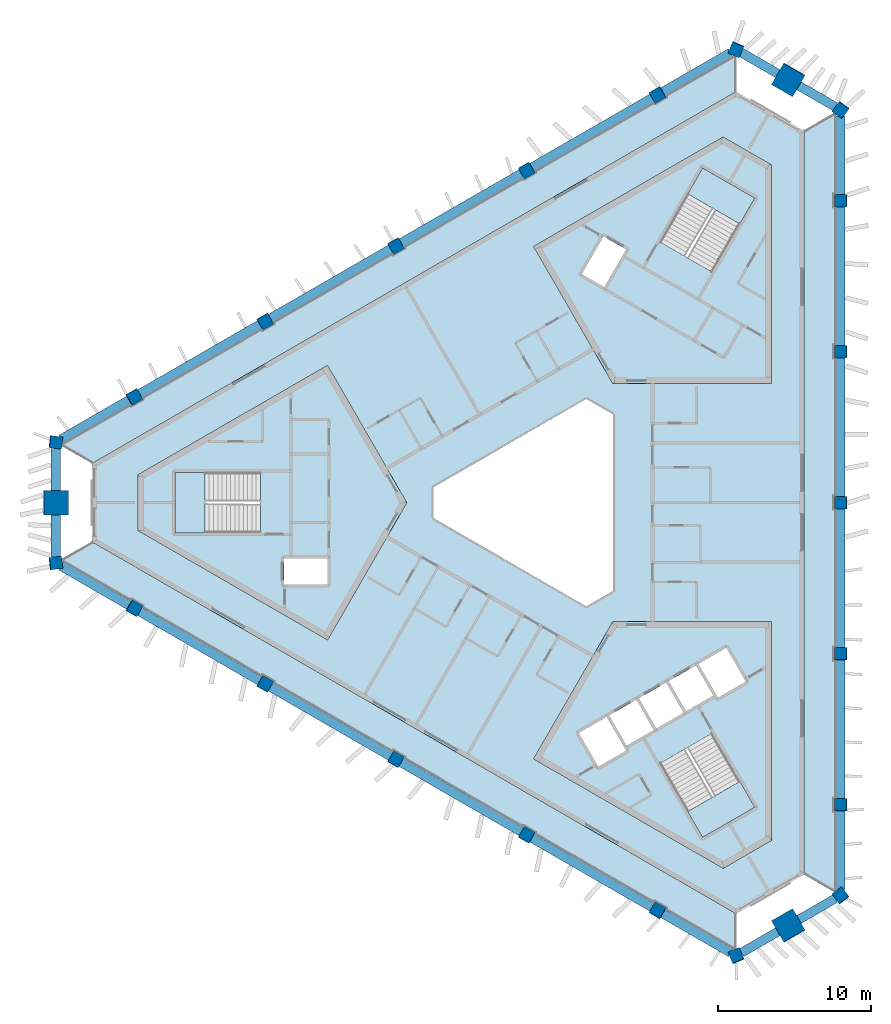
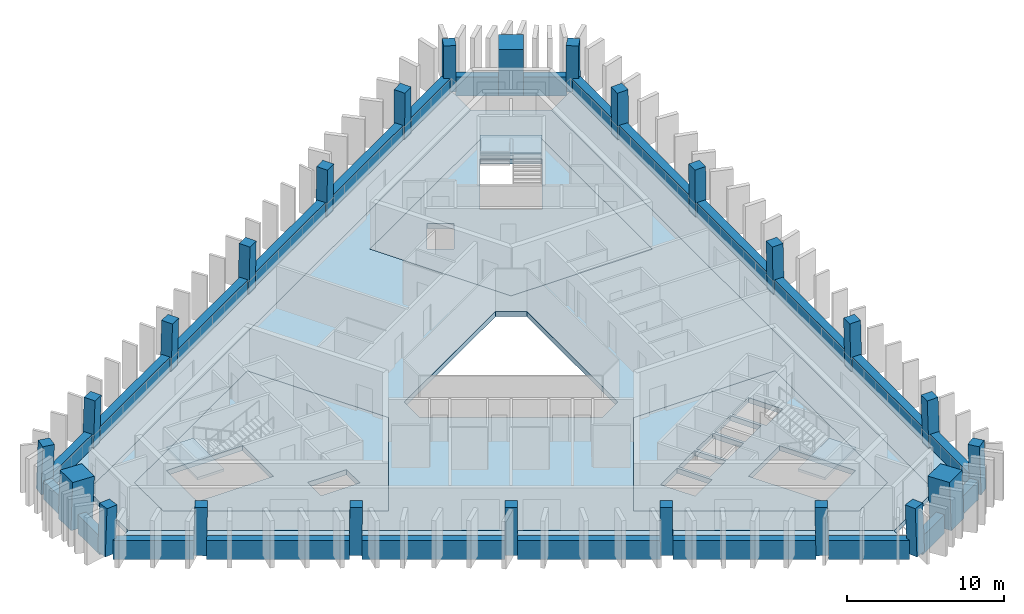
# One storey, part 1 of 9: 24 beams, 24 columns, 10 slabs, 3 elements without a shape of their own.
"""IFC4 building model written with IfcOpenShell, lengths in metres."""

from ifc_helpers import new_model, si_unit, direction, frame, origin, origin_2d, place, context, subcontext, project, spatial, polyline, rectangle, outline, extrude, material, layer, layer_set, material_profile, profile_set, type_object, element, aggregate, save


model = new_model("IFC4")

# Units and contexts
model_context = context("Model", 3, precision=1e-05, world=origin(), true_north=direction((0.0, 1.0)))
body_context = subcontext(model_context, "Body", "Model", "MODEL_VIEW")
ifc_project = project(units=[si_unit("LENGTHUNIT", "METRE"), si_unit("AREAUNIT", "SQUARE_METRE"), si_unit("VOLUMEUNIT", "CUBIC_METRE"), si_unit("PLANEANGLEUNIT", "RADIAN"), si_unit("MASSUNIT", "GRAM", prefix="KILO")], contexts=[model_context])

# Site, building, storey
site_placement = place(None, origin())
site = spatial("IfcSite", under=ifc_project, at=site_placement, CompositionType="ELEMENT")
building_placement = place(site_placement, origin())
building = spatial("IfcBuilding", under=site, at=building_placement, Name="Jabali Bay Hotel Tower and Convention Centre", CompositionType="ELEMENT")
storey_placement = place(building_placement, frame((0.0, 0.0, 259.0)))
storey = spatial("IfcBuildingStorey", under=building, at=storey_placement, Name="L63", CompositionType="ELEMENT", Elevation=259.0)

# Columns
ifc_material_1 = material(Name="Concrete C60", Category="concrete")
ifc_material_profile_1 = material_profile(ifc_material_1, rectangle(XDim=0.800048828125, YDim=0.800048828125, at=origin_2d()), Name="Frame column 800")
ifc_profile_set_1 = profile_set([ifc_material_profile_1], Name="Concrete C60")
column_type_1 = type_object("IfcColumnType", Name="Frame column 800", PredefinedType="COLUMN", material=ifc_profile_set_1)
column_1_placement = place(storey_placement, frame((82.43017578125, 106.721923828125, 0.0), z_axis=(-0.008376454378, -0.028163354484, 0.999568237028), x_axis=(0.86585218107, 0.499844611273, 0.021339285781)))
element("IfcColumn", 1, at=column_1_placement, inside=storey, type_object=column_type_1, Name="FC6 F1.1 L63", PredefinedType="COLUMN", context=body_context, shape_type="SweptSolid", body=[
    extrude(rectangle(XDim=0.800048828125, YDim=0.800048828125, at=origin_2d()), origin(), (0.0, 0.0, 1.0), 3.70166015625),
])
column_2_placement = place(storey_placement, frame((73.8583984375, 101.77294921875, 0.0), z_axis=(0.000857578916, -0.022824792675, 0.999739112668), x_axis=(0.866054076895, 0.49983648719, 0.010668737814)))
element("IfcColumn", 2, at=column_2_placement, inside=storey, type_object=column_type_1, Name="FC6 F1.2 L63", PredefinedType="COLUMN", context=body_context, shape_type="SweptSolid", body=[
    extrude(rectangle(XDim=0.800048828125, YDim=0.800048828125, at=origin_2d()), origin(), (0.0, 0.0, 1.0), 3.700927734375),
])
column_3_placement = place(storey_placement, frame((65.28662109375, 96.823974609375, 0.0), z_axis=(0.010093620709, -0.017482414954, 0.999796221231), x_axis=(0.866020200589, 0.50000901209, 8.5616e-08)))
element("IfcColumn", 3, at=column_3_placement, inside=storey, type_object=column_type_1, Name="FC6 F1.3 L63", PredefinedType="COLUMN", context=body_context, shape_type="SweptSolid", body=[
    extrude(rectangle(XDim=0.800048828125, YDim=0.800048828125, at=origin_2d()), origin(), (0.0, 0.0, 1.0), 3.70068359375),
])
column_4_placement = place(storey_placement, frame((56.71484375, 91.875244140625, 0.0), z_axis=(0.019328501455, -0.012204002625, 0.999738701537), x_axis=(-0.498096589224, 0.866885952098, 0.020212220507)))
element("IfcColumn", 4, at=column_4_placement, inside=storey, type_object=column_type_1, Name="FC6 F1.4 L63", PredefinedType="COLUMN", context=body_context, shape_type="SweptSolid", body=[
    extrude(rectangle(XDim=0.800048828125, YDim=0.800048828125, at=origin_2d()), origin(), (0.0, 0.0, 1.0), 3.700927734375),
])
for number, where, z_axis, x_axis, name in (
    (5, (48.14306640625, 86.92626953125, 0.0), (0.028559101991, -0.006859460986, 0.999568569678), (-0.49850746064, 0.866650252321, 0.020190389752), "FC6 F1.5 L63"),
    (6, (48.14306640625, 73.07373046875, 0.0), (0.028559101991, 0.006859460986, 0.999568569678), (-0.866414848315, 0.498869008806, 0.021331260469), "FC6 F2.1 L63"),
):
    element("IfcColumn", number, at=place(storey_placement, frame(where, z_axis=z_axis, x_axis=x_axis)), inside=storey, type_object=column_type_1, Name=name, PredefinedType="COLUMN", context=body_context, shape_type="SweptSolid", body=[
        extrude(rectangle(XDim=0.800048828125, YDim=0.800048828125, at=origin_2d()), origin(), (0.0, 0.0, 1.0), 3.70166015625),
    ])
column_5_placement = place(storey_placement, frame((56.71484375, 68.124755859375, 0.0), z_axis=(0.019328501455, 0.012204002625, 0.999738701537), x_axis=(-0.866906106124, 0.498357109285, 0.010676834304)))
element("IfcColumn", 7, at=column_5_placement, inside=storey, type_object=column_type_1, Name="FC6 F2.2 L63", PredefinedType="COLUMN", context=body_context, shape_type="SweptSolid", body=[
    extrude(rectangle(XDim=0.800048828125, YDim=0.800048828125, at=origin_2d()), origin(), (0.0, 0.0, 1.0), 3.700927734375),
])
column_6_placement = place(storey_placement, frame((65.28662109375, 63.176025390625, 0.0), z_axis=(0.010093620709, 0.017482414954, 0.999796221231), x_axis=(-0.499907122366, -0.865843723195, 0.020187025824)))
element("IfcColumn", 8, at=column_6_placement, inside=storey, type_object=column_type_1, Name="FC6 F2.3 L63", PredefinedType="COLUMN", context=body_context, shape_type="SweptSolid", body=[
    extrude(rectangle(XDim=0.800048828125, YDim=0.800048828125, at=origin_2d()), origin(), (0.0, 0.0, 1.0), 3.70068359375),
])
column_7_placement = place(storey_placement, frame((73.8583984375, 58.22705078125, 0.0), z_axis=(0.000857578916, 0.022824792675, 0.999739112668), x_axis=(-0.499949597911, -0.865818985073, 0.020196153983)))
element("IfcColumn", 9, at=column_7_placement, inside=storey, type_object=column_type_1, Name="FC6 F2.4 L63", PredefinedType="COLUMN", context=body_context, shape_type="SweptSolid", body=[
    extrude(rectangle(XDim=0.800048828125, YDim=0.800048828125, at=origin_2d()), origin(), (0.0, 0.0, 1.0), 3.700927734375),
])
for number, where, z_axis, x_axis, name in (
    (10, (82.43017578125, 53.278076171875, 0.0), (-0.008376454378, 0.028163354484, 0.999568237028), (-0.500229782748, -0.865657085713, 0.020198376324), "FC6 F2.5 L63"),
    (11, (94.4267578125, 60.204345703125, 0.0), (-0.020182659751, 0.021303918626, 0.999569308901), (0.000228267203, -0.99977282903, 0.021312865295), "FC6 F0.1 L63"),
):
    element("IfcColumn", number, at=place(storey_placement, frame(where, z_axis=z_axis, x_axis=x_axis)), inside=storey, type_object=column_type_1, Name=name, PredefinedType="COLUMN", context=body_context, shape_type="SweptSolid", body=[
        extrude(rectangle(XDim=0.800048828125, YDim=0.800048828125, at=origin_2d()), origin(), (0.0, 0.0, 1.0), 3.70166015625),
    ])
column_8_placement = place(storey_placement, frame((94.4267578125, 70.10205078125, 0.0), z_axis=(-0.020186088539, 0.010686752756, 0.999739123544), x_axis=(-0.001012906877, -0.999942577175, 0.010668475618)))
element("IfcColumn", 12, at=column_8_placement, inside=storey, type_object=column_type_1, Name="FC6 F0.2 L63", PredefinedType="COLUMN", context=body_context, shape_type="SweptSolid", body=[
    extrude(rectangle(XDim=0.800048828125, YDim=0.800048828125, at=origin_2d()), origin(), (0.0, 0.0, 1.0), 3.700927734375),
])
column_9_placement = place(storey_placement, frame((94.4267578125, 80.0, 0.0), z_axis=(-0.020187241331, 0.0, 0.99979621688), x_axis=(0.0, -1.0, 0.0)))
element("IfcColumn", 13, at=column_9_placement, inside=storey, type_object=column_type_1, Name="FC6 F0.3 L63", PredefinedType="COLUMN", context=body_context, shape_type="SweptSolid", body=[
    extrude(rectangle(XDim=0.800048828125, YDim=0.800048828125, at=origin_2d()), origin(), (0.0, 0.0, 1.0), 3.70068359375),
])
column_10_placement = place(storey_placement, frame((94.4267578125, 89.89794921875, 0.0), z_axis=(-0.020186088539, -0.010686752756, 0.999739123544), x_axis=(0.999795727061, 0.00079728784, 0.020195754082)))
element("IfcColumn", 14, at=column_10_placement, inside=storey, type_object=column_type_1, Name="FC6 F0.4 L63", PredefinedType="COLUMN", context=body_context, shape_type="SweptSolid", body=[
    extrude(rectangle(XDim=0.800048828125, YDim=0.800048828125, at=origin_2d()), origin(), (0.0, 0.0, 1.0), 3.700927734375),
])
column_11_placement = place(storey_placement, frame((94.4267578125, 99.795654296875, 0.0), z_axis=(-0.020182659751, -0.021303918626, 0.999569308901), x_axis=(0.999796283319, -0.000658319199, 0.020173211851)))
element("IfcColumn", 15, at=column_11_placement, inside=storey, type_object=column_type_1, Name="FC6 F0.5 L63", PredefinedType="COLUMN", context=body_context, shape_type="SweptSolid", body=[
    extrude(rectangle(XDim=0.800048828125, YDim=0.800048828125, at=origin_2d()), origin(), (0.0, 0.0, 1.0), 3.70166015625),
])
for number, where, z_axis, x_axis, name in (
    (16, (94.4267578125, 54.260986328125, 0.0), (-0.020178741915, 0.029015184452, 0.999375273581), (-0.798281897295, -0.602282443204, 0.001367866344), "FC6 V0 L63"),
    (17, (94.4267578125, 105.739013671875, 0.0), (-0.020178741915, -0.029015184452, 0.999375273581), (0.601945870345, 0.797755587683, 0.035315598476), "FC6 V1 L63"),
    (18, (87.5771484375, 109.693603515625, 0.0), (-0.015035141917, -0.031982648376, 0.99937533225), (0.920764120863, -0.390117371011, 0.001367686877), "FC6 V2 L63"),
    (19, (42.99609375, 83.95458984375, 0.0), (0.03521388716, -0.002967462401, 0.999375393092), (-0.991849329083, 0.122425306125, 0.035312219103), "FC6 V3 L63"),
    (20, (42.99609375, 76.04541015625, 0.0), (0.03521388716, 0.002967462401, 0.999375393092), (-0.122453626115, 0.992473293639, 0.001367795324), "FC6 V4 L63"),
    (21, (87.5771484375, 50.306396484375, 0.0), (-0.015035141917, 0.031982648376, 0.99937533225), (0.389829935023, -0.920209512577, 0.035313945152), "FC6 V5 L63"),
):
    element("IfcColumn", number, at=place(storey_placement, frame(where, z_axis=z_axis, x_axis=x_axis)), inside=storey, type_object=column_type_1, Name=name, PredefinedType="COLUMN", context=body_context, shape_type="SweptSolid", body=[
        extrude(rectangle(XDim=0.800048828125, YDim=0.800048828125, at=origin_2d()), origin(), (0.0, 0.0, 1.0), 3.7021484375),
    ])
ifc_material_2 = material(Name="Concrete C70", Category="concrete")
ifc_material_profile_2 = material_profile(ifc_material_2, rectangle(XDim=1.60009765625, YDim=1.60009765625, at=origin_2d()), Name="Mega column 1600")
ifc_profile_set_2 = profile_set([ifc_material_profile_2], Name="Concrete C70")
column_type_2 = type_object("IfcColumnType", Name="Mega column 1600", PredefinedType="COLUMN", material=ifc_profile_set_2)
for number, where, z_axis, x_axis, name in (
    (22, (91.001953125, 107.71630859375, 0.0), (-0.017607001884, -0.030531992032, 0.999378702468), (0.499253360369, 0.865738917404, 0.035244986208), "MC6 M1 L63"),
    (23, (42.99609375, 80.0, 0.0), (0.035214042205, 0.0, 0.999379793288), (0.0, 1.0, 0.0), "MC6 M0 L63"),
    (24, (91.001953125, 52.28369140625, 0.0), (-0.017607001884, 0.030531992032, 0.999378702468), (0.4992500341, -0.865740835585, 0.035244986208), "MC6 M2 L63"),
):
    element("IfcColumn", number, at=place(storey_placement, frame(where, z_axis=z_axis, x_axis=x_axis)), inside=storey, type_object=column_type_2, Name=name, PredefinedType="COLUMN", context=body_context, shape_type="SweptSolid", body=[
        extrude(rectangle(XDim=1.60009765625, YDim=1.60009765625, at=origin_2d()), origin(), (0.0, 0.0, 1.0), 3.7021484375),
    ])

# Beams
ifc_material_profile_3 = material_profile(ifc_material_1, rectangle(XDim=0.60009765625, YDim=1.449951171875, at=origin_2d()), Name="Spandrel 600x1450")
ifc_profile_set_3 = profile_set([ifc_material_profile_3], Name="Concrete C60")
beam_type = type_object("IfcBeamType", Name="Spandrel 600x1450", PredefinedType="SPANDREL", material=ifc_profile_set_3)
beam_1_placement = place(storey_placement, frame((90.302490234375, 108.104736328125, 0.375), z_axis=(-0.866024638932, 0.500001324761, 0.0), x_axis=(-0.500001324761, -0.866024638932, 0.0)))
element("IfcBeam", 25, at=beam_1_placement, inside=storey, type_object=beam_type, Name="Spandrel M1-V2 L63", PredefinedType="SPANDREL", context=body_context, shape_type="SweptSolid", body=[
    extrude(rectangle(XDim=0.60009765625, YDim=1.449951171875, at=origin_2d()), origin(), (0.0, 0.0, 1.0), 2.75341796875),
])
beam_2_placement = place(storey_placement, frame((87.22509765625, 109.4814453125, 0.375), z_axis=(-0.866033729024, -0.499985579985, 0.0), x_axis=(0.499985579985, -0.866033729024, 0.0)))
element("IfcBeam", 26, at=beam_2_placement, inside=storey, type_object=beam_type, Name="Spandrel V2-F1.1 L63", PredefinedType="SPANDREL", context=body_context, shape_type="SweptSolid", body=[
    extrude(rectangle(XDim=0.60009765625, YDim=1.449951171875, at=origin_2d()), origin(), (0.0, 0.0, 1.0), 5.140380859375),
])
for number, where, z_axis, x_axis, name in (
    (27, (82.08056640625, 106.51123046875, 0.375), (-0.86602732172, -0.499996678024, 0.0), (0.499996678024, -0.86602732172, 0.0), "Spandrel F1.1-F1.2 L63"),
    (28, (73.51220703125, 101.564453125, 0.375), (-0.86602732172, -0.499996678024, 0.0), (0.499996678024, -0.86602732172, 0.0), "Spandrel F1.2-F1.3 L63"),
    (29, (64.944091796875, 96.617431640625, 0.375), (-0.86602732172, -0.499996678024, 0.0), (0.499996678024, -0.86602732172, 0.0), "Spandrel F1.3-F1.4 L63"),
):
    element("IfcBeam", number, at=place(storey_placement, frame(where, z_axis=z_axis, x_axis=x_axis)), inside=storey, type_object=beam_type, Name=name, PredefinedType="SPANDREL", context=body_context, shape_type="SweptSolid", body=[
        extrude(rectangle(XDim=0.60009765625, YDim=1.449951171875, at=origin_2d()), origin(), (0.0, 0.0, 1.0), 9.09375),
    ])
beam_3_placement = place(storey_placement, frame((56.375732421875, 91.670654296875, 0.375), z_axis=(-0.866015696644, -0.500016812883, 0.0), x_axis=(0.500016812883, -0.866015696644, 0.0)))
element("IfcBeam", 30, at=beam_3_placement, inside=storey, type_object=beam_type, Name="Spandrel F1.4-F1.5 L63", PredefinedType="SPANDREL", context=body_context, shape_type="SweptSolid", body=[
    extrude(rectangle(XDim=0.60009765625, YDim=1.449951171875, at=origin_2d()), origin(), (0.0, 0.0, 1.0), 9.093994140625),
])
beam_4_placement = place(storey_placement, frame((47.807373046875, 86.7236328125, 0.375), z_axis=(-0.866033729024, -0.499985579985, 0.0), x_axis=(0.499985579985, -0.866033729024, 0.0)))
element("IfcBeam", 31, at=beam_4_placement, inside=storey, type_object=beam_type, Name="Spandrel F1.5-V3 L63", PredefinedType="SPANDREL", context=body_context, shape_type="SweptSolid", body=[
    extrude(rectangle(XDim=0.60009765625, YDim=1.449951171875, at=origin_2d()), origin(), (0.0, 0.0, 1.0), 5.140380859375),
])
for number, where, z_axis, x_axis, name in (
    (32, (43.00927734375, 83.553466796875, 0.375), (0.0, -1.0, 0.0), (1.0, 0.0, 0.0), "Spandrel V3-M0 L63"),
    (33, (43.00927734375, 79.199951171875, 0.375), (0.0, -1.0, 0.0), (1.0, 0.0, 0.0), "Spandrel M0-V4 L63"),
):
    element("IfcBeam", number, at=place(storey_placement, frame(where, z_axis=z_axis, x_axis=x_axis)), inside=storey, type_object=beam_type, Name=name, PredefinedType="SPANDREL", context=body_context, shape_type="SweptSolid", body=[
        extrude(rectangle(XDim=0.60009765625, YDim=1.449951171875, at=origin_2d()), origin(), (0.0, 0.0, 1.0), 2.75341796875),
    ])
beam_5_placement = place(storey_placement, frame((43.355712890625, 75.846435546875, 0.375), z_axis=(0.866033729024, -0.499985579985, 0.0), x_axis=(0.499985579985, 0.866033729024, 0.0)))
element("IfcBeam", 34, at=beam_5_placement, inside=storey, type_object=beam_type, Name="Spandrel V4-F2.1 L63", PredefinedType="SPANDREL", context=body_context, shape_type="SweptSolid", body=[
    extrude(rectangle(XDim=0.60009765625, YDim=1.449951171875, at=origin_2d()), origin(), (0.0, 0.0, 1.0), 5.140380859375),
])
beam_6_placement = place(storey_placement, frame((48.500244140625, 72.87646484375, 0.375), z_axis=(0.866015696644, -0.500016812883, 0.0), x_axis=(0.500016812883, 0.866015696644, 0.0)))
element("IfcBeam", 35, at=beam_6_placement, inside=storey, type_object=beam_type, Name="Spandrel F2.1-F2.2 L63", PredefinedType="SPANDREL", context=body_context, shape_type="SweptSolid", body=[
    extrude(rectangle(XDim=0.60009765625, YDim=1.449951171875, at=origin_2d()), origin(), (0.0, 0.0, 1.0), 9.093994140625),
])
for number, where, z_axis, x_axis, name in (
    (36, (57.068603515625, 67.929443359375, 0.375), (0.86602732172, -0.499996678024, 0.0), (0.499996678024, 0.86602732172, 0.0), "Spandrel F2.2-F2.3 L63"),
    (37, (65.63671875, 62.982421875, 0.375), (0.86602732172, -0.499996678024, 0.0), (0.499996678024, 0.86602732172, 0.0), "Spandrel F2.3-F2.4 L63"),
    (38, (74.205078125, 58.03564453125, 0.375), (0.86602732172, -0.499996678024, 0.0), (0.499996678024, 0.86602732172, 0.0), "Spandrel F2.4-F2.5 L63"),
):
    element("IfcBeam", number, at=place(storey_placement, frame(where, z_axis=z_axis, x_axis=x_axis)), inside=storey, type_object=beam_type, Name=name, PredefinedType="SPANDREL", context=body_context, shape_type="SweptSolid", body=[
        extrude(rectangle(XDim=0.60009765625, YDim=1.449951171875, at=origin_2d()), origin(), (0.0, 0.0, 1.0), 9.09375),
    ])
beam_7_placement = place(storey_placement, frame((82.7734375, 53.088623046875, 0.375), z_axis=(0.866033729024, -0.499985579985, 0.0), x_axis=(0.499985579985, 0.866033729024, 0.0)))
element("IfcBeam", 39, at=beam_7_placement, inside=storey, type_object=beam_type, Name="Spandrel F2.5-V5 L63", PredefinedType="SPANDREL", context=body_context, shape_type="SweptSolid", body=[
    extrude(rectangle(XDim=0.60009765625, YDim=1.449951171875, at=origin_2d()), origin(), (0.0, 0.0, 1.0), 5.140380859375),
])
for number, where, z_axis, x_axis, name in (
    (40, (87.91796875, 50.5185546875, 0.375), (0.866024638932, 0.500001324761, 0.0), (-0.500001324761, 0.866024638932, 0.0), "Spandrel V5-M2 L63"),
    (41, (91.688232421875, 52.6953125, 0.375), (0.866024638932, 0.500001324761, 0.0), (-0.500001324761, 0.866024638932, 0.0), "Spandrel M2-V0 L63"),
):
    element("IfcBeam", number, at=place(storey_placement, frame(where, z_axis=z_axis, x_axis=x_axis)), inside=storey, type_object=beam_type, Name=name, PredefinedType="SPANDREL", context=body_context, shape_type="SweptSolid", body=[
        extrude(rectangle(XDim=0.60009765625, YDim=1.449951171875, at=origin_2d()), origin(), (0.0, 0.0, 1.0), 2.75341796875),
    ])
beam_8_placement = place(storey_placement, frame((94.419189453125, 54.671875, 0.375), z_axis=(0.0, 1.0, 0.0), x_axis=(-1.0, 0.0, 0.0)))
element("IfcBeam", 42, at=beam_8_placement, inside=storey, type_object=beam_type, Name="Spandrel V0-F0.1 L63", PredefinedType="SPANDREL", context=body_context, shape_type="SweptSolid", body=[
    extrude(rectangle(XDim=0.60009765625, YDim=1.449951171875, at=origin_2d()), origin(), (0.0, 0.0, 1.0), 5.140380859375),
])
beam_9_placement = place(storey_placement, frame((94.419189453125, 60.6123046875, 0.375), z_axis=(0.0, 1.0, 0.0), x_axis=(-1.0, 0.0, 0.0)))
element("IfcBeam", 43, at=beam_9_placement, inside=storey, type_object=beam_type, Name="Spandrel F0.1-F0.2 L63", PredefinedType="SPANDREL", context=body_context, shape_type="SweptSolid", body=[
    extrude(rectangle(XDim=0.60009765625, YDim=1.449951171875, at=origin_2d()), origin(), (0.0, 0.0, 1.0), 9.09375),
])
for number, where, z_axis, x_axis, name in (
    (44, (94.419189453125, 70.506103515625, 0.375), (0.0, 1.0, 0.0), (-1.0, 0.0, 0.0), "Spandrel F0.2-F0.3 L63"),
    (45, (94.419189453125, 80.39990234375, 0.375), (0.0, 1.0, 0.0), (-1.0, 0.0, 0.0), "Spandrel F0.3-F0.4 L63"),
):
    element("IfcBeam", number, at=place(storey_placement, frame(where, z_axis=z_axis, x_axis=x_axis)), inside=storey, type_object=beam_type, Name=name, PredefinedType="SPANDREL", context=body_context, shape_type="SweptSolid", body=[
        extrude(rectangle(XDim=0.60009765625, YDim=1.449951171875, at=origin_2d()), origin(), (0.0, 0.0, 1.0), 9.093994140625),
    ])
beam_10_placement = place(storey_placement, frame((94.419189453125, 90.2939453125, 0.375), z_axis=(0.0, 1.0, 0.0), x_axis=(-1.0, 0.0, 0.0)))
element("IfcBeam", 46, at=beam_10_placement, inside=storey, type_object=beam_type, Name="Spandrel F0.4-F0.5 L63", PredefinedType="SPANDREL", context=body_context, shape_type="SweptSolid", body=[
    extrude(rectangle(XDim=0.60009765625, YDim=1.449951171875, at=origin_2d()), origin(), (0.0, 0.0, 1.0), 9.09375),
])
beam_11_placement = place(storey_placement, frame((94.419189453125, 100.187744140625, 0.375), z_axis=(0.0, 1.0, 0.0), x_axis=(-1.0, 0.0, 0.0)))
element("IfcBeam", 47, at=beam_11_placement, inside=storey, type_object=beam_type, Name="Spandrel F0.5-V1 L63", PredefinedType="SPANDREL", context=body_context, shape_type="SweptSolid", body=[
    extrude(rectangle(XDim=0.60009765625, YDim=1.449951171875, at=origin_2d()), origin(), (0.0, 0.0, 1.0), 5.140380859375),
])
beam_12_placement = place(storey_placement, frame((94.07275390625, 105.927978515625, 0.375), z_axis=(-0.866024638932, 0.500001324761, 0.0), x_axis=(-0.500001324761, -0.866024638932, 0.0)))
element("IfcBeam", 48, at=beam_12_placement, inside=storey, type_object=beam_type, Name="Spandrel V1-M1 L63", PredefinedType="SPANDREL", context=body_context, shape_type="SweptSolid", body=[
    extrude(rectangle(XDim=0.60009765625, YDim=1.449951171875, at=origin_2d()), origin(), (0.0, 0.0, 1.0), 2.75341796875),
])

# Slabs
ifc_material_3 = material(Name="Concrete C40", Category="concrete")
ifc_layer_1 = layer(ifc_material_3, 0.39990234375)
ifc_layer_set_1 = layer_set([ifc_layer_1], Name="Concrete C40")
slab_type_1 = type_object("IfcSlabType", Name="Core floor slab 400", PredefinedType="FLOOR", material=ifc_layer_set_1)
slab_1_placement = place(storey_placement, frame((0.0, 0.0, -0.39990234375)))
element("IfcSlab", 49, at=slab_1_placement, inside=storey, type_object=slab_type_1, Name="Core floor slab 1 L63", PredefinedType="FLOOR", context=body_context, shape_type="SweptSolid", body=[
    extrude(outline(polyline([(66.0, 80.0), (60.81005859375, 88.9892578125), (48.39697265625, 81.82275390625), (48.39697265625, 78.17724609375), (60.81005859375, 71.0107421875), (66.0, 80.0)]), holes=[polyline([(60.800048828125, 76.35009765625), (57.949951171875, 76.35009765625), (57.949951171875, 74.64990234375), (60.800048828125, 74.64990234375), (60.800048828125, 76.35009765625)]), polyline([(50.820068359375, 81.97509765625), (50.820068359375, 78.02490234375), (56.409912109375, 78.02490234375), (56.409912109375, 81.97509765625), (50.820068359375, 81.97509765625)])]), origin(), (0.0, 0.0, 1.0), 0.39990234375),
])
slab_2_placement = place(storey_placement, frame((0.0, 0.0, -0.39990234375)))
element("IfcSlab", 50, at=slab_2_placement, inside=storey, type_object=slab_type_1, Name="Core floor slab 2 L63", PredefinedType="FLOOR", context=body_context, shape_type="SweptSolid", body=[
    extrude(outline(polyline([(79.5, 87.794189453125), (89.8798828125, 87.794189453125), (89.8798828125, 102.127685546875), (86.72314453125, 103.9501953125), (74.31005859375, 96.78369140625), (79.5, 87.794189453125)]), holes=[polyline([(78.93896484375, 94.12255859375), (80.364013671875, 96.5908203125), (78.891845703125, 97.440673828125), (77.466796875, 94.97265625), (78.93896484375, 94.12255859375)]), polyline([(88.80029296875, 99.952880859375), (85.379638671875, 101.927978515625), (82.584716796875, 97.0869140625), (86.00537109375, 95.11181640625), (88.80029296875, 99.952880859375)])]), origin(), (0.0, 0.0, 1.0), 0.39990234375),
])
slab_3_placement = place(storey_placement, frame((0.0, 0.0, -0.39990234375)))
element("IfcSlab", 51, at=slab_3_placement, inside=storey, type_object=slab_type_1, Name="Core floor slab 3 L63", PredefinedType="FLOOR", context=body_context, shape_type="SweptSolid", body=[
    extrude(outline(polyline([(79.5, 72.205810546875), (74.31005859375, 63.21630859375), (86.72314453125, 56.0498046875), (89.8798828125, 57.872314453125), (89.8798828125, 72.205810546875), (79.5, 72.205810546875)]), holes=[polyline([(82.584716796875, 62.9130859375), (85.379638671875, 58.072021484375), (88.80029296875, 60.047119140625), (86.00537109375, 64.88818359375), (82.584716796875, 62.9130859375)]), polyline([(80.365478515625, 63.756591796875), (79.090576171875, 65.96484375), (77.27197265625, 64.9150390625), (78.546875, 62.70654296875), (80.365478515625, 63.756591796875)]), polyline([(82.17919921875, 65.115478515625), (81.0390625, 67.08984375), (79.263671875, 66.06494140625), (80.40380859375, 64.09033203125), (82.17919921875, 65.115478515625)]), polyline([(82.98779296875, 68.21484375), (81.21240234375, 67.18994140625), (82.352294921875, 65.21533203125), (84.127685546875, 66.240478515625), (82.98779296875, 68.21484375)]), polyline([(86.076171875, 67.365478515625), (84.936279296875, 69.33984375), (83.160888671875, 68.31494140625), (84.30078125, 66.34033203125), (86.076171875, 67.365478515625)]), polyline([(88.203125, 68.281494140625), (86.927978515625, 70.489990234375), (85.109375, 69.43994140625), (86.384521484375, 67.231689453125), (88.203125, 68.281494140625)])]), origin(), (0.0, 0.0, 1.0), 0.39990234375),
])
ifc_layer_2 = layer(ifc_material_3, 0.199951171875)
ifc_layer_set_2 = layer_set([ifc_layer_2], Name="Concrete C40")
slab_type_2 = type_object("IfcSlabType", Name="Loggia slab 200", PredefinedType="FLOOR", material=ifc_layer_set_2)
slab_4_placement = place(storey_placement, frame((0.0, 0.0, -0.199951171875)))
element("IfcSlab", 52, at=slab_4_placement, inside=storey, type_object=slab_type_2, Name="Loggia slab east face L63", PredefinedType="FLOOR", context=body_context, shape_type="SweptSolid", body=[
    extrude(outline(polyline([(92.026611328125, 104.353271484375), (94.050537109375, 105.521728515625), (94.126708984375, 105.464111328125), (94.126708984375, 100.195556640625), (94.026611328125, 100.195556640625), (94.026611328125, 99.395751953125), (94.126708984375, 99.395751953125), (94.126708984375, 90.2978515625), (94.026611328125, 90.2978515625), (94.026611328125, 89.497802734375), (94.126708984375, 89.497802734375), (94.126708984375, 80.39990234375), (94.026611328125, 80.39990234375), (94.026611328125, 79.60009765625), (94.126708984375, 79.60009765625), (94.126708984375, 70.502197265625), (94.026611328125, 70.502197265625), (94.026611328125, 69.7021484375), (94.126708984375, 69.7021484375), (94.126708984375, 60.604248046875), (94.026611328125, 60.604248046875), (94.026611328125, 59.804443359375), (94.126708984375, 59.804443359375), (94.126708984375, 54.535888671875), (94.050537109375, 54.478271484375), (92.026611328125, 55.646728515625), (92.026611328125, 104.353271484375)])), origin(), (0.0, 0.0, 1.0), 0.199951171875),
])
slab_5_placement = place(storey_placement, frame((0.0, 0.0, -0.199951171875)))
element("IfcSlab", 53, at=slab_5_placement, inside=storey, type_object=slab_type_2, Name="Loggia slab north-west face L63", PredefinedType="FLOOR", context=body_context, shape_type="SweptSolid", body=[
    extrude(outline(polyline([(45.39599609375, 82.56884765625), (43.372314453125, 83.7373046875), (43.384033203125, 83.83203125), (47.94677734375, 86.46630859375), (47.99658203125, 86.3798828125), (48.689453125, 86.77978515625), (48.639404296875, 86.866455078125), (56.5185546875, 91.415283203125), (56.568359375, 91.32861328125), (57.26123046875, 91.728759765625), (57.211181640625, 91.8154296875), (65.09033203125, 96.3642578125), (65.14013671875, 96.277587890625), (65.8330078125, 96.677734375), (65.782958984375, 96.76416015625), (73.662109375, 101.313232421875), (73.7119140625, 101.2265625), (74.40478515625, 101.62646484375), (74.354736328125, 101.713134765625), (82.23388671875, 106.261962890625), (82.28369140625, 106.175537109375), (82.9765625, 106.575439453125), (82.926513671875, 106.662109375), (87.4892578125, 109.29638671875), (87.5771484375, 109.259033203125), (87.5771484375, 106.922119140625), (45.39599609375, 82.56884765625)])), origin(), (0.0, 0.0, 1.0), 0.199951171875),
])
slab_6_placement = place(storey_placement, frame((0.0, 0.0, -0.199951171875)))
element("IfcSlab", 54, at=slab_6_placement, inside=storey, type_object=slab_type_2, Name="Loggia slab south-west face L63", PredefinedType="FLOOR", context=body_context, shape_type="SweptSolid", body=[
    extrude(outline(polyline([(87.5771484375, 53.077880859375), (87.5771484375, 50.740966796875), (87.4892578125, 50.70361328125), (82.926513671875, 53.337890625), (82.9765625, 53.424560546875), (82.28369140625, 53.824462890625), (82.23388671875, 53.738037109375), (74.354736328125, 58.286865234375), (74.40478515625, 58.37353515625), (73.7119140625, 58.7734375), (73.662109375, 58.686767578125), (65.782958984375, 63.23583984375), (65.8330078125, 63.322265625), (65.14013671875, 63.722412109375), (65.09033203125, 63.6357421875), (57.211181640625, 68.1845703125), (57.26123046875, 68.271240234375), (56.568359375, 68.67138671875), (56.5185546875, 68.584716796875), (48.639404296875, 73.133544921875), (48.689453125, 73.22021484375), (47.99658203125, 73.6201171875), (47.94677734375, 73.53369140625), (43.384033203125, 76.16796875), (43.372314453125, 76.2626953125), (45.39599609375, 77.43115234375), (87.5771484375, 53.077880859375)])), origin(), (0.0, 0.0, 1.0), 0.199951171875),
])
ifc_layer_3 = layer(ifc_material_3, 0.39990234375)
ifc_layer_set_3 = layer_set([ifc_layer_3], Name="Concrete C40")
slab_type_3 = type_object("IfcSlabType", Name="Post-tensioned flat slab 400", PredefinedType="FLOOR", material=ifc_layer_set_3)
slab_7_placement = place(storey_placement, frame((0.0, 0.0, -0.39990234375)))
element("IfcSlab", 55, at=slab_7_placement, inside=storey, type_object=slab_type_3, Name="Floor slab L63", PredefinedType="FLOOR", context=body_context, shape_type="SweptSolid", body=[
    extrude(outline(polyline([(87.5771484375, 106.922119140625), (92.026611328125, 104.353271484375), (92.026611328125, 55.646728515625), (87.5771484375, 53.077880859375), (45.39599609375, 77.43115234375), (45.39599609375, 82.56884765625), (87.5771484375, 106.922119140625)]), holes=[polyline([(67.73193359375, 79.0), (77.76806640625, 73.205810546875), (79.5, 74.205810546875), (79.5, 85.794189453125), (77.76806640625, 86.794189453125), (67.73193359375, 81.0), (67.73193359375, 79.0)]), polyline([(48.39697265625, 78.17724609375), (60.81005859375, 71.0107421875), (66.0, 80.0), (60.81005859375, 88.9892578125), (48.39697265625, 81.82275390625), (48.39697265625, 78.17724609375)]), polyline([(89.8798828125, 102.127685546875), (86.72314453125, 103.9501953125), (74.31005859375, 96.78369140625), (79.5, 87.794189453125), (89.8798828125, 87.794189453125), (89.8798828125, 102.127685546875)]), polyline([(74.31005859375, 63.21630859375), (86.72314453125, 56.0498046875), (89.8798828125, 57.872314453125), (89.8798828125, 72.205810546875), (79.5, 72.205810546875), (74.31005859375, 63.21630859375)])]), origin(), (0.0, 0.0, 1.0), 0.39990234375),
])

# Stair, slab
stair_type = type_object("IfcStairType", Name="Exit stair 1900", PredefinedType="HALF_TURN_STAIR", material=ifc_material_3)
stair_1_placement = place(storey_placement, origin())
stair_1 = element("IfcStair", 56, at=stair_1_placement, inside=storey, type_object=stair_type, Name="L63 Exit Stair 1", PredefinedType="HALF_TURN_STAIR")
ifc_layer_4 = layer(ifc_material_3, 0.199951171875)
ifc_layer_set_4 = layer_set([ifc_layer_4], Name="Concrete C40")
slab_type_4 = type_object("IfcSlabType", Name="Stair landing 200", PredefinedType="LANDING", material=ifc_layer_set_4)
slab_8_placement = place(storey_placement, frame((0.0, 0.0, 1.64990234375)))
slab_8 = element("IfcSlab", 57, at=slab_8_placement, type_object=slab_type_4, Name="ST1 landing 1", PredefinedType="LANDING", context=body_context, shape_type="SweptSolid", body=[
    extrude(outline(polyline([(52.782958984375, 81.97509765625), (50.820068359375, 81.97509765625), (50.820068359375, 78.02490234375), (52.782958984375, 78.02490234375), (52.782958984375, 81.97509765625)])), origin(), (0.0, 0.0, 1.0), 0.2001953125),
])
aggregate(stair_1, [slab_8])

stair_2_placement = place(storey_placement, origin())
stair_2 = element("IfcStair", 58, at=stair_2_placement, inside=storey, type_object=stair_type, Name="L63 Exit Stair 2", PredefinedType="HALF_TURN_STAIR")
slab_9_placement = place(storey_placement, frame((0.0, 0.0, 1.64990234375)))
slab_9 = element("IfcSlab", 59, at=slab_9_placement, type_object=slab_type_4, Name="ST2 landing 1", PredefinedType="LANDING", context=body_context, shape_type="SweptSolid", body=[
    extrude(outline(polyline([(87.81884765625, 98.2529296875), (88.80029296875, 99.952880859375), (85.379638671875, 101.927978515625), (84.398193359375, 100.22802734375), (87.81884765625, 98.2529296875)])), origin(), (0.0, 0.0, 1.0), 0.2001953125),
])
aggregate(stair_2, [slab_9])

stair_3_placement = place(storey_placement, origin())
stair_3 = element("IfcStair", 60, at=stair_3_placement, inside=storey, type_object=stair_type, Name="L63 Exit Stair 3", PredefinedType="HALF_TURN_STAIR")
slab_10_placement = place(storey_placement, frame((0.0, 0.0, 1.64990234375)))
slab_10 = element("IfcSlab", 61, at=slab_10_placement, type_object=slab_type_4, Name="ST3 landing 1", PredefinedType="LANDING", context=body_context, shape_type="SweptSolid", body=[
    extrude(outline(polyline([(84.398193359375, 59.77197265625), (85.379638671875, 58.072021484375), (88.80029296875, 60.047119140625), (87.81884765625, 61.7470703125), (84.398193359375, 59.77197265625)])), origin(), (0.0, 0.0, 1.0), 0.2001953125),
])
aggregate(stair_3, [slab_10])

save(model, "model.ifc")
